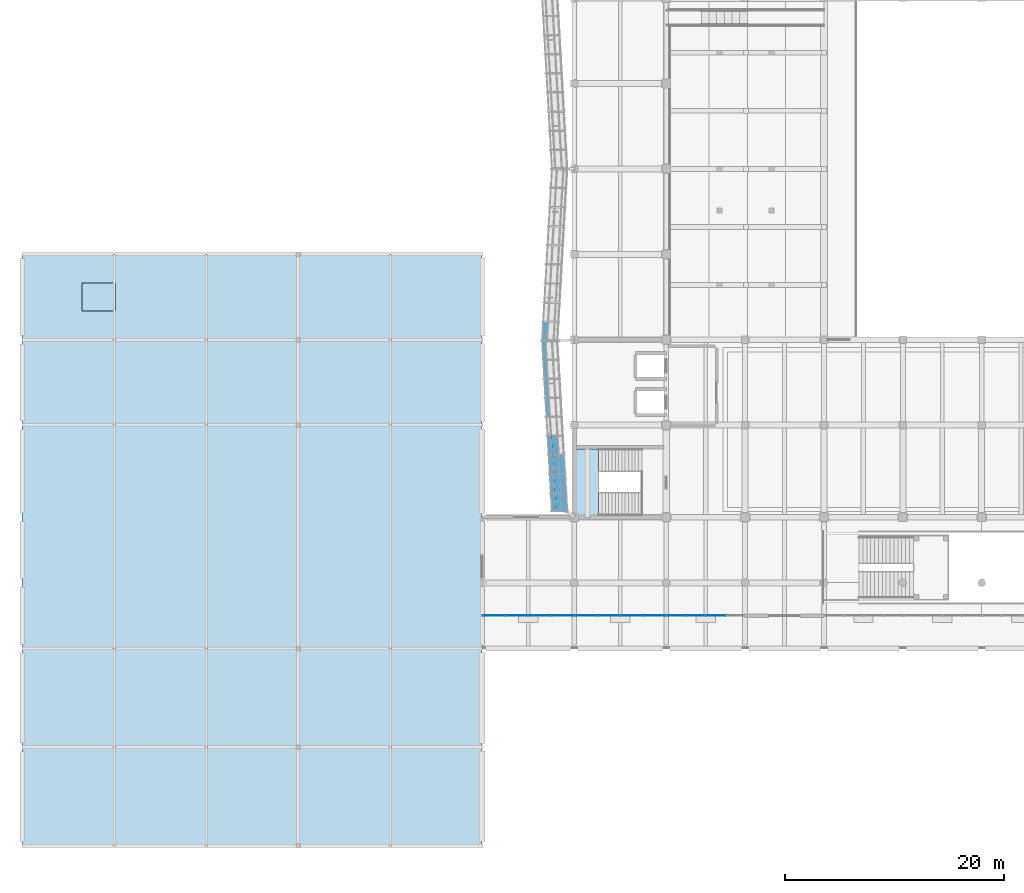
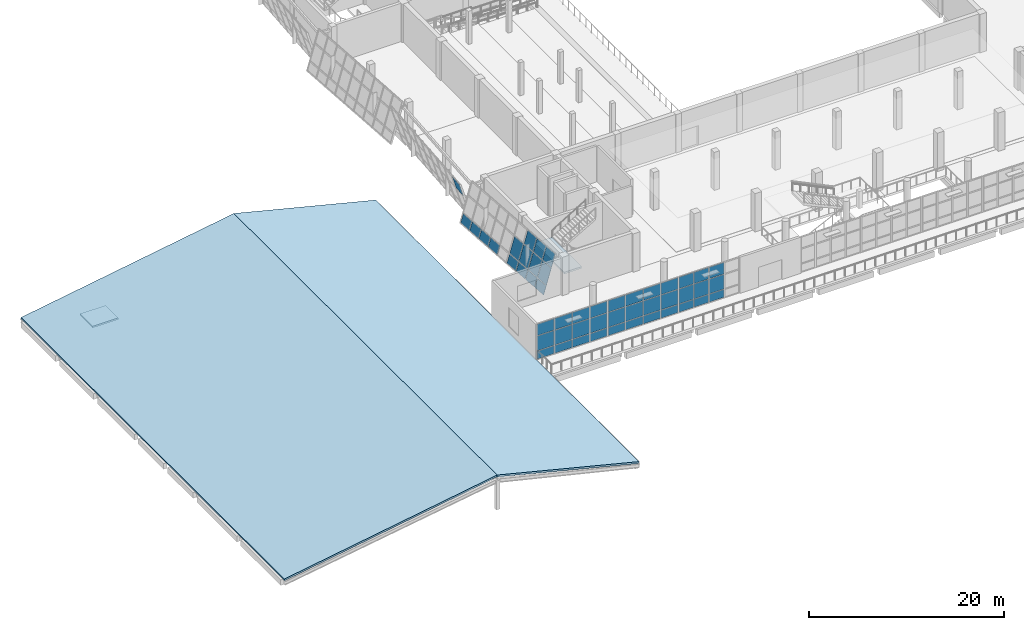
# One storey, part 48 of 79: 49 plates, 4 slabs, 6 elements without a shape of their own.
"""IFC4 building model written with IfcOpenShell, lengths in metres."""

from ifc_helpers import new_model, si_unit, direction, frame, origin, place, context, subcontext, project, spatial, polyline, outline, extrude, material, layer, layer_set, type_object, element, aggregate, save


model = new_model("IFC4")

# Units and contexts
model_context = context("Model", 3, precision=1e-05, world=origin(), true_north=direction((0.0, 1.0)))
body_context = subcontext(model_context, "Body", "Model", "MODEL_VIEW")
ifc_project = project(units=[si_unit("LENGTHUNIT", "METRE"), si_unit("AREAUNIT", "SQUARE_METRE"), si_unit("VOLUMEUNIT", "CUBIC_METRE"), si_unit("PLANEANGLEUNIT", "RADIAN"), si_unit("MASSUNIT", "GRAM", prefix="KILO")], contexts=[model_context])

# Site, building, storey
site_placement = place(None, origin())
site = spatial("IfcSite", under=ifc_project, at=site_placement, CompositionType="ELEMENT")
building_placement = place(site_placement, origin())
building = spatial("IfcBuilding", under=site, at=building_placement, Name="Pellamere Symphony Hall", CompositionType="ELEMENT")
storey_placement = place(building_placement, frame((0.0, 0.0, 10.199951171875)))
storey = spatial("IfcBuildingStorey", under=building, at=storey_placement, Name="L02", CompositionType="ELEMENT", Elevation=10.199951171875)

# Curtain wall, plates
ifc_material_1 = material(Name="Thermally Broken Anodised Aluminium 6063-T6 Curtain Wall", Category="aluminium")
curtain_wall_type_1 = type_object("IfcCurtainWallType", Name="Curtain Wall CW-01 (Tilted Faceted Crystal Low-Iron Curtain Wall)", PredefinedType="NOTDEFINED", material=ifc_material_1)
curtain_wall_1_placement = place(storey_placement, origin())
curtain_wall_1 = element("IfcCurtainWall", 1, at=curtain_wall_1_placement, inside=storey, type_object=curtain_wall_type_1, Name="Crystal Faceted Curtain Wall CW-CR18 (L02)", PredefinedType="NOTDEFINED")
ifc_material_2 = material(Name="Pre-Weathered Quartz-Zinc Faceted Cladding Cassette", Category="aluminium")
ifc_layer_1 = layer(ifc_material_2, 0.0400390625, Name="Pre-Weathered Quartz-Zinc Faceted Cladding Cassette")
ifc_layer_set_1 = layer_set([ifc_layer_1], Name="Pre-Weathered Quartz-Zinc Faceted Cladding Cassette")
plate_type_1 = type_object("IfcPlateType", Name="Facade Panel CL-01 40mm", PredefinedType="CURTAIN_PANEL", material=ifc_layer_set_1)
plate_1_placement = place(storey_placement, frame((47.453857421875, 46.025146484375, 0.072021484375), z_axis=(-0.957350958392, -0.055220695341, 0.283601511406), x_axis=(0.057585007883, -0.99834060664, 0.0)))
plate_1 = element("IfcPlate", 2, at=plate_1_placement, type_object=plate_type_1, Name="CW1-054 crystal glass panel 1.1", PredefinedType="CURTAIN_PANEL", context=body_context, shape_type="SweptSolid", body=[
    extrude(outline(polyline([(0.0, 0.0), (1.6237882534451713, -6.938893903907228e-18), (1.6416008034910186, 1.0888971520236395), (0.017812550045847142, 1.0888971520236395), (0.0, 0.0)])), origin(), (0.0, 0.0, -1.0), 0.0400390625),
])
plate_2_placement = place(storey_placement, frame((47.5517578125, 44.329345703125, 0.072021484375), z_axis=(-0.957410840201, -0.055240660783, 0.283395399508), x_axis=(0.057602168051, -0.998339616682, 0.0)))
plate_2 = element("IfcPlate", 3, at=plate_2_placement, type_object=plate_type_1, Name="CW1-054 crystal glass panel 2.1", PredefinedType="CURTAIN_PANEL", context=body_context, shape_type="SweptSolid", body=[
    extrude(outline(polyline([(0.0, 0.0), (1.6614500501978287, -3.469446951953614e-18), (1.6792538453034658, 1.0888279666407128), (0.01780379510563712, 1.0888279666407128), (0.0, 0.0)])), origin(), (0.0, 0.0, -1.0), 0.0400390625),
])
plate_3_placement = place(storey_placement, frame((47.651611328125, 42.595947265625, 0.072021484375), z_axis=(-0.957349655397, -0.055245262022, 0.283601125412), x_axis=(0.057610619545, -0.998339129012, 0.0)))
plate_3 = element("IfcPlate", 4, at=plate_3_placement, type_object=plate_type_1, Name="CW1-054 crystal glass panel 3.1", PredefinedType="CURTAIN_PANEL", context=body_context, shape_type="SweptSolid", body=[
    extrude(outline(polyline([(0.0, 0.0), (1.6612063149993754, 3.469446951953614e-18), (1.67902678740273, 1.0888970223981924), (0.017820472403354506, 1.0888970223981924), (0.0, 0.0)])), origin(), (0.0, 0.0, -1.0), 0.0400390625),
])
plate_4_placement = place(storey_placement, frame((47.751708984375, 40.862548828125, 0.072021484375), z_axis=(-0.957349655397, -0.055245262022, 0.283601125412), x_axis=(0.057610619545, -0.998339129012, 0.0)))
plate_4 = element("IfcPlate", 5, at=plate_4_placement, type_object=plate_type_1, Name="CW1-054 crystal glass panel 4.1", PredefinedType="CURTAIN_PANEL", context=body_context, shape_type="SweptSolid", body=[
    extrude(outline(polyline([(0.0, 0.0), (1.6612063149993754, 3.469446951953614e-18), (1.67902678740273, 1.0888970223981924), (0.017820472403354506, 1.0888970223981924), (0.0, 0.0)])), origin(), (0.0, 0.0, -1.0), 0.0400390625),
])
plate_5_placement = place(storey_placement, frame((47.95166015625, 37.39599609375, 0.072021484375), z_axis=(-0.957349655397, -0.055245262022, 0.283601125412), x_axis=(0.057610619545, -0.998339129012, 0.0)))
plate_5 = element("IfcPlate", 6, at=plate_5_placement, type_object=plate_type_1, Name="CW1-054 crystal glass panel 6.1", PredefinedType="CURTAIN_PANEL", context=body_context, shape_type="SweptSolid", body=[
    extrude(outline(polyline([(0.0, 0.0), (1.6612063149993754, 3.469446951953614e-18), (1.67902678740273, 1.0888970223981924), (0.017820472403354506, 1.0888970223981924), (0.0, 0.0)])), origin(), (0.0, 0.0, -1.0), 0.0400390625),
])
plate_6_placement = place(storey_placement, frame((48.2822265625, 37.39599609375, 1.18798828125), z_axis=(-0.957347197893, -0.055245120208, 0.283609448679), x_axis=(0.057610619545, -0.998339129012, 0.0)))
plate_6 = element("IfcPlate", 7, at=plate_6_placement, type_object=plate_type_1, Name="CW1-054 crystal glass panel 6.2", PredefinedType="CURTAIN_PANEL", context=body_context, shape_type="SweptSolid", body=[
    extrude(outline(polyline([(0.0, 0.0), (1.6612063149993754, 6.938893903907228e-18), (1.6943858685901516, 2.0273344043651265), (0.03317955359077607, 2.0273344043651265), (0.0, 0.0)])), origin(), (0.0, 0.0, -1.0), 0.0400390625),
])
plate_7_placement = place(storey_placement, frame((48.0517578125, 35.66259765625, 0.072021484375), z_axis=(-0.957410410084, -0.05524876796, 0.283395272192), x_axis=(0.057610619545, -0.998339129012, 0.0)))
plate_7 = element("IfcPlate", 8, at=plate_7_placement, type_object=plate_type_1, Name="CW1-054 crystal glass panel 7.1", PredefinedType="CURTAIN_PANEL", context=body_context, shape_type="SweptSolid", body=[
    extrude(outline(polyline([(0.0, 0.0), (1.6612063149993754, 3.469446951953614e-18), (1.6790127223100675, 1.0888279239245282), (0.017806407310692034, 1.0888279239245282), (0.0, 0.0)])), origin(), (0.0, 0.0, -1.0), 0.0400390625),
])
plate_8_placement = place(storey_placement, frame((48.38232421875, 35.66259765625, 1.18798828125), z_axis=(-0.957379835106, -0.055247003586, 0.283498888758), x_axis=(0.057610619545, -0.998339129012, 0.0)))
plate_8 = element("IfcPlate", 9, at=plate_8_placement, type_object=plate_type_1, Name="CW1-054 crystal glass panel 7.2", PredefinedType="CURTAIN_PANEL", context=body_context, shape_type="SweptSolid", body=[
    extrude(outline(polyline([(0.0, 0.0), (1.6612063149993754, -3.469446951953614e-18), (1.694371803497489, 2.0272652922501933), (0.03316548849811359, 2.0272652922501933), (0.0, 0.0)])), origin(), (0.0, 0.0, -1.0), 0.0400390625),
])
plate_9_placement = place(storey_placement, frame((48.9794921875, 35.66259765625, 3.2041015625), z_axis=(-0.957353948937, -0.055245509787, 0.28358658308), x_axis=(0.057610619545, -0.998339129012, 0.0)))
plate_9 = element("IfcPlate", 10, at=plate_9_placement, type_object=plate_type_1, Name="CW1-054 crystal glass panel 7.3", PredefinedType="CURTAIN_PANEL", context=body_context, shape_type="SweptSolid", body=[
    extrude(outline(polyline([(0.0, 0.0), (1.6612063149993754, 0.0), (1.68721267133229, 1.5891664089551663), (0.02600635633291435, 1.5891664089551663), (0.0, 0.0)])), origin(), (0.0, 0.0, -1.0), 0.0400390625),
])
plate_10_placement = place(storey_placement, frame((48.151611328125, 33.92919921875, 0.072021484375), z_axis=(-0.957349655397, -0.055245262022, 0.283601125412), x_axis=(0.057610619545, -0.998339129012, 0.0)))
plate_10 = element("IfcPlate", 11, at=plate_10_placement, type_object=plate_type_1, Name="CW1-054 crystal glass panel 8.1", PredefinedType="CURTAIN_PANEL", context=body_context, shape_type="SweptSolid", body=[
    extrude(outline(polyline([(0.0, 0.0), (1.6612063149993754, 3.469446951953614e-18), (1.67902678740273, 1.0888970223981924), (0.017820472403354506, 1.0888970223981924), (0.0, 0.0)])), origin(), (0.0, 0.0, -1.0), 0.0400390625),
])
plate_11_placement = place(storey_placement, frame((48.482177734375, 33.92919921875, 1.18798828125), z_axis=(-0.957347197893, -0.055245120208, 0.283609448679), x_axis=(0.057610619545, -0.998339129012, 0.0)))
plate_11 = element("IfcPlate", 12, at=plate_11_placement, type_object=plate_type_1, Name="CW1-054 crystal glass panel 8.2", PredefinedType="CURTAIN_PANEL", context=body_context, shape_type="SweptSolid", body=[
    extrude(outline(polyline([(0.0, 0.0), (1.6612063149993754, 6.938893903907228e-18), (1.6943858685901516, 2.0273344043651265), (0.03317955359077607, 2.0273344043651265), (0.0, 0.0)])), origin(), (0.0, 0.0, -1.0), 0.0400390625),
])
plate_12_placement = place(storey_placement, frame((49.079345703125, 33.92919921875, 3.2041015625), z_axis=(-0.957353948937, -0.055245509787, 0.28358658308), x_axis=(0.057610619545, -0.998339129012, 0.0)))
plate_12 = element("IfcPlate", 13, at=plate_12_placement, type_object=plate_type_1, Name="CW1-054 crystal glass panel 8.3", PredefinedType="CURTAIN_PANEL", context=body_context, shape_type="SweptSolid", body=[
    extrude(outline(polyline([(0.0, 0.0), (1.6612063149993754, 0.0), (1.68721267133229, 1.5891664089551663), (0.02600635633291435, 1.5891664089551663), (0.0, 0.0)])), origin(), (0.0, 0.0, -1.0), 0.0400390625),
])
plate_13_placement = place(storey_placement, frame((48.251708984375, 32.19580078125, 0.072021484375), z_axis=(-0.957350518643, -0.055228987595, 0.283601381137), x_axis=(0.057593652861, -0.998340107954, 0.0)))
plate_13 = element("IfcPlate", 14, at=plate_13_placement, type_object=plate_type_1, Name="CW1-054 crystal glass panel 9.1", PredefinedType="CURTAIN_PANEL", context=body_context, shape_type="SweptSolid", body=[
    extrude(outline(polyline([(0.0, 0.0), (1.6235445180063734, -3.469446951953614e-18), (1.6413597421702713, 1.0888971082762222), (0.01781522416389773, 1.0888971082762222), (0.0, 0.0)])), origin(), (0.0, 0.0, -1.0), 0.0400390625),
])
plate_14_placement = place(storey_placement, frame((48.582275390625, 32.19580078125, 1.18798828125), z_axis=(-0.957348061132, -0.055228845822, 0.283609704409), x_axis=(0.057593652861, -0.998340107954, 0.0)))
plate_14 = element("IfcPlate", 15, at=plate_14_placement, type_object=plate_type_1, Name="CW1-054 crystal glass panel 9.2", PredefinedType="CURTAIN_PANEL", context=body_context, shape_type="SweptSolid", body=[
    extrude(outline(polyline([(0.0, 0.0), (1.6235445180063734, -3.469446951953614e-18), (1.6567143000131885, 2.027334564264273), (0.033169782006815106, 2.027334564264273), (0.0, 0.0)])), origin(), (0.0, 0.0, -1.0), 0.0400390625),
])
plate_15_placement = place(storey_placement, frame((49.179443359375, 32.19580078125, 3.2041015625), z_axis=(-0.957354812195, -0.055229235287, 0.283586838793), x_axis=(0.057593652861, -0.998340107954, 0.0)))
plate_15 = element("IfcPlate", 16, at=plate_15_placement, type_object=plate_type_1, Name="CW1-054 crystal glass panel 9.3", PredefinedType="CURTAIN_PANEL", context=body_context, shape_type="SweptSolid", body=[
    extrude(outline(polyline([(0.0, 0.0), (1.6235445180063734, -6.938893903907228e-18), (1.6495432153063316, 1.589166534275083), (0.02599869729995809, 1.589166534275083), (0.0, 0.0)])), origin(), (0.0, 0.0, -1.0), 0.0400390625),
])
aggregate(curtain_wall_1, [plate_1, plate_2, plate_3, plate_4, plate_5, plate_6, plate_7, plate_8, plate_9, plate_10, plate_11, plate_12, plate_13, plate_14, plate_15])

curtain_wall_type_2 = type_object("IfcCurtainWallType", Name="Curtain Wall CW-02 (Winter-Garden South Concourse Curtain Wall)", PredefinedType="NOTDEFINED", material=ifc_material_1)
curtain_wall_2_placement = place(storey_placement, origin())
curtain_wall_2 = element("IfcCurtainWall", 17, at=curtain_wall_2_placement, inside=storey, type_object=curtain_wall_type_2, Name="Winter-Garden South Curtain Wall (L02 Bay 1)", PredefinedType="NOTDEFINED")
ifc_material_3 = material(Name="Triple Low-E Argon Acoustic Glazing 36mm", Category="glass")
ifc_layer_2 = layer(ifc_material_3, 0.035888671875, Name="Triple Low-E Argon Acoustic Glazing 36mm")
ifc_layer_set_2 = layer_set([ifc_layer_2], Name="Triple Low-E Argon Acoustic Glazing 36mm")
plate_type_2 = type_object("IfcPlateType", Name="Facade Panel GL-01 36mm", PredefinedType="CURTAIN_PANEL", material=ifc_layer_set_2)
plate_16_placement = place(storey_placement, frame((42.06494140625, 21.0, 0.06494140625), z_axis=(0.0, -1.0, 0.0), x_axis=(1.0, 0.0, 0.0)))
plate_16 = element("IfcPlate", 18, at=plate_16_placement, type_object=plate_type_2, Name="CW2-077 crystal glass panel 1.1", PredefinedType="CURTAIN_PANEL", context=body_context, shape_type="SweptSolid", body=[
    extrude(outline(polyline([(0.0, 0.0), (2.00244140625, 0.0), (2.00244140625, 0.982666015625), (0.0, 0.982666015625), (0.0, 0.0)])), origin(), (0.0, 0.0, -1.0), 0.035888671875),
])
plate_17_placement = place(storey_placement, frame((42.06494140625, 21.0, 1.112548828125), z_axis=(0.0, -1.0, 0.0), x_axis=(1.0, 0.0, 0.0)))
plate_17 = element("IfcPlate", 19, at=plate_17_placement, type_object=plate_type_2, Name="CW2-077 crystal glass panel 1.2", PredefinedType="CURTAIN_PANEL", context=body_context, shape_type="SweptSolid", body=[
    extrude(outline(polyline([(0.0, 0.0), (2.00244140625, 0.0), (2.00244140625, 1.824951171875), (0.0, 1.824951171875), (0.0, 0.0)])), origin(), (0.0, 0.0, -1.0), 0.035888671875),
])
plate_18_placement = place(storey_placement, frame((42.06494140625, 21.0, 3.00244140625), z_axis=(0.0, -1.0, 0.0), x_axis=(1.0, 0.0, 0.0)))
plate_18 = element("IfcPlate", 20, at=plate_18_placement, type_object=plate_type_2, Name="CW2-077 crystal glass panel 1.3", PredefinedType="CURTAIN_PANEL", context=body_context, shape_type="SweptSolid", body=[
    extrude(outline(polyline([(0.0, 0.0), (2.00244140625, 0.0), (2.00244140625, 1.4326171875), (0.0, 1.4326171875), (0.0, 0.0)])), origin(), (0.0, 0.0, -1.0), 0.035888671875),
])
plate_19_placement = place(storey_placement, frame((44.132568359375, 21.0, 0.06494140625), z_axis=(0.0, -1.0, 0.0), x_axis=(1.0, 0.0, 0.0)))
plate_19 = element("IfcPlate", 21, at=plate_19_placement, type_object=plate_type_2, Name="CW2-077 crystal glass panel 2.1", PredefinedType="CURTAIN_PANEL", context=body_context, shape_type="SweptSolid", body=[
    extrude(outline(polyline([(0.0, 0.0), (2.034912109375, 0.0), (2.034912109375, 0.982666015625), (0.0, 0.982666015625), (0.0, 0.0)])), origin(), (0.0, 0.0, -1.0), 0.035888671875),
])
plate_20_placement = place(storey_placement, frame((44.132568359375, 21.0, 1.112548828125), z_axis=(0.0, -1.0, 0.0), x_axis=(1.0, 0.0, 0.0)))
plate_20 = element("IfcPlate", 22, at=plate_20_placement, type_object=plate_type_2, Name="CW2-077 crystal glass panel 2.2", PredefinedType="CURTAIN_PANEL", context=body_context, shape_type="SweptSolid", body=[
    extrude(outline(polyline([(0.0, 0.0), (2.034912109375, 0.0), (2.034912109375, 1.824951171875), (0.0, 1.824951171875), (0.0, 0.0)])), origin(), (0.0, 0.0, -1.0), 0.035888671875),
])
plate_21_placement = place(storey_placement, frame((44.132568359375, 21.0, 3.00244140625), z_axis=(0.0, -1.0, 0.0), x_axis=(1.0, 0.0, 0.0)))
plate_21 = element("IfcPlate", 23, at=plate_21_placement, type_object=plate_type_2, Name="CW2-077 crystal glass panel 2.3", PredefinedType="CURTAIN_PANEL", context=body_context, shape_type="SweptSolid", body=[
    extrude(outline(polyline([(0.0, 0.0), (2.034912109375, 0.0), (2.034912109375, 1.4326171875), (0.0, 1.4326171875), (0.0, 0.0)])), origin(), (0.0, 0.0, -1.0), 0.035888671875),
])
plate_22_placement = place(storey_placement, frame((46.232421875, 21.0, 0.06494140625), z_axis=(0.0, -1.0, 0.0), x_axis=(1.0, 0.0, 0.0)))
plate_22 = element("IfcPlate", 24, at=plate_22_placement, type_object=plate_type_2, Name="CW2-077 crystal glass panel 3.1", PredefinedType="CURTAIN_PANEL", context=body_context, shape_type="SweptSolid", body=[
    extrude(outline(polyline([(0.0, 0.0), (2.03515625, 0.0), (2.03515625, 0.982666015625), (0.0, 0.982666015625), (0.0, 0.0)])), origin(), (0.0, 0.0, -1.0), 0.035888671875),
])
plate_23_placement = place(storey_placement, frame((46.232421875, 21.0, 1.112548828125), z_axis=(0.0, -1.0, 0.0), x_axis=(1.0, 0.0, 0.0)))
plate_23 = element("IfcPlate", 25, at=plate_23_placement, type_object=plate_type_2, Name="CW2-077 crystal glass panel 3.2", PredefinedType="CURTAIN_PANEL", context=body_context, shape_type="SweptSolid", body=[
    extrude(outline(polyline([(0.0, 0.0), (2.03515625, 0.0), (2.03515625, 1.824951171875), (0.0, 1.824951171875), (0.0, 0.0)])), origin(), (0.0, 0.0, -1.0), 0.035888671875),
])
plate_24_placement = place(storey_placement, frame((46.232421875, 21.0, 3.00244140625), z_axis=(0.0, -1.0, 0.0), x_axis=(1.0, 0.0, 0.0)))
plate_24 = element("IfcPlate", 26, at=plate_24_placement, type_object=plate_type_2, Name="CW2-077 crystal glass panel 3.3", PredefinedType="CURTAIN_PANEL", context=body_context, shape_type="SweptSolid", body=[
    extrude(outline(polyline([(0.0, 0.0), (2.03515625, 0.0), (2.03515625, 1.4326171875), (0.0, 1.4326171875), (0.0, 0.0)])), origin(), (0.0, 0.0, -1.0), 0.035888671875),
])
plate_25_placement = place(storey_placement, frame((48.33251953125, 21.0, 0.06494140625), z_axis=(0.0, -1.0, 0.0), x_axis=(1.0, 0.0, 0.0)))
plate_25 = element("IfcPlate", 27, at=plate_25_placement, type_object=plate_type_2, Name="CW2-077 crystal glass panel 4.1", PredefinedType="CURTAIN_PANEL", context=body_context, shape_type="SweptSolid", body=[
    extrude(outline(polyline([(0.0, 0.0), (2.00244140625, 0.0), (2.00244140625, 0.982666015625), (0.0, 0.982666015625), (0.0, 0.0)])), origin(), (0.0, 0.0, -1.0), 0.035888671875),
])
plate_26_placement = place(storey_placement, frame((48.33251953125, 21.0, 1.112548828125), z_axis=(0.0, -1.0, 0.0), x_axis=(1.0, 0.0, 0.0)))
plate_26 = element("IfcPlate", 28, at=plate_26_placement, type_object=plate_type_2, Name="CW2-077 crystal glass panel 4.2", PredefinedType="CURTAIN_PANEL", context=body_context, shape_type="SweptSolid", body=[
    extrude(outline(polyline([(0.0, 0.0), (2.00244140625, 0.0), (2.00244140625, 1.824951171875), (0.0, 1.824951171875), (0.0, 0.0)])), origin(), (0.0, 0.0, -1.0), 0.035888671875),
])
plate_27_placement = place(storey_placement, frame((48.33251953125, 21.0, 3.00244140625), z_axis=(0.0, -1.0, 0.0), x_axis=(1.0, 0.0, 0.0)))
plate_27 = element("IfcPlate", 29, at=plate_27_placement, type_object=plate_type_2, Name="CW2-077 crystal glass panel 4.3", PredefinedType="CURTAIN_PANEL", context=body_context, shape_type="SweptSolid", body=[
    extrude(outline(polyline([(0.0, 0.0), (2.00244140625, 0.0), (2.00244140625, 1.4326171875), (0.0, 1.4326171875), (0.0, 0.0)])), origin(), (0.0, 0.0, -1.0), 0.035888671875),
])
aggregate(curtain_wall_2, [plate_16, plate_17, plate_18, plate_19, plate_20, plate_21, plate_22, plate_23, plate_24, plate_25, plate_26, plate_27])

curtain_wall_3_placement = place(storey_placement, origin())
curtain_wall_3 = element("IfcCurtainWall", 30, at=curtain_wall_3_placement, inside=storey, type_object=curtain_wall_type_2, Name="Winter-Garden South Curtain Wall (L02 Bay 2)", PredefinedType="NOTDEFINED")
plate_28_placement = place(storey_placement, frame((50.465087890625, 21.0, 0.06494140625), z_axis=(0.0, -1.0, 0.0), x_axis=(1.0, 0.0, 0.0)))
plate_28 = element("IfcPlate", 31, at=plate_28_placement, type_object=plate_type_2, Name="CW2-078 crystal glass panel 1.1", PredefinedType="CURTAIN_PANEL", context=body_context, shape_type="SweptSolid", body=[
    extrude(outline(polyline([(0.0, 0.0), (2.00244140625, 0.0), (2.00244140625, 0.982666015625), (0.0, 0.982666015625), (0.0, 0.0)])), origin(), (0.0, 0.0, -1.0), 0.035888671875),
])
plate_29_placement = place(storey_placement, frame((50.465087890625, 21.0, 1.112548828125), z_axis=(0.0, -1.0, 0.0), x_axis=(1.0, 0.0, 0.0)))
plate_29 = element("IfcPlate", 32, at=plate_29_placement, type_object=plate_type_2, Name="CW2-078 crystal glass panel 1.2", PredefinedType="CURTAIN_PANEL", context=body_context, shape_type="SweptSolid", body=[
    extrude(outline(polyline([(0.0, 0.0), (2.00244140625, 0.0), (2.00244140625, 1.824951171875), (0.0, 1.824951171875), (0.0, 0.0)])), origin(), (0.0, 0.0, -1.0), 0.035888671875),
])
plate_30_placement = place(storey_placement, frame((50.465087890625, 21.0, 3.00244140625), z_axis=(0.0, -1.0, 0.0), x_axis=(1.0, 0.0, 0.0)))
plate_30 = element("IfcPlate", 33, at=plate_30_placement, type_object=plate_type_2, Name="CW2-078 crystal glass panel 1.3", PredefinedType="CURTAIN_PANEL", context=body_context, shape_type="SweptSolid", body=[
    extrude(outline(polyline([(0.0, 0.0), (2.00244140625, 0.0), (2.00244140625, 1.4326171875), (0.0, 1.4326171875), (0.0, 0.0)])), origin(), (0.0, 0.0, -1.0), 0.035888671875),
])
plate_31_placement = place(storey_placement, frame((52.532470703125, 21.0, 0.06494140625), z_axis=(0.0, -1.0, 0.0), x_axis=(1.0, 0.0, 0.0)))
plate_31 = element("IfcPlate", 34, at=plate_31_placement, type_object=plate_type_2, Name="CW2-078 crystal glass panel 2.1", PredefinedType="CURTAIN_PANEL", context=body_context, shape_type="SweptSolid", body=[
    extrude(outline(polyline([(0.0, 0.0), (2.034912109375, 0.0), (2.034912109375, 0.982666015625), (0.0, 0.982666015625), (0.0, 0.0)])), origin(), (0.0, 0.0, -1.0), 0.035888671875),
])
plate_32_placement = place(storey_placement, frame((52.532470703125, 21.0, 1.112548828125), z_axis=(0.0, -1.0, 0.0), x_axis=(1.0, 0.0, 0.0)))
plate_32 = element("IfcPlate", 35, at=plate_32_placement, type_object=plate_type_2, Name="CW2-078 crystal glass panel 2.2", PredefinedType="CURTAIN_PANEL", context=body_context, shape_type="SweptSolid", body=[
    extrude(outline(polyline([(0.0, 0.0), (2.034912109375, 0.0), (2.034912109375, 1.824951171875), (0.0, 1.824951171875), (0.0, 0.0)])), origin(), (0.0, 0.0, -1.0), 0.035888671875),
])
plate_33_placement = place(storey_placement, frame((52.532470703125, 21.0, 3.00244140625), z_axis=(0.0, -1.0, 0.0), x_axis=(1.0, 0.0, 0.0)))
plate_33 = element("IfcPlate", 36, at=plate_33_placement, type_object=plate_type_2, Name="CW2-078 crystal glass panel 2.3", PredefinedType="CURTAIN_PANEL", context=body_context, shape_type="SweptSolid", body=[
    extrude(outline(polyline([(0.0, 0.0), (2.034912109375, 0.0), (2.034912109375, 1.4326171875), (0.0, 1.4326171875), (0.0, 0.0)])), origin(), (0.0, 0.0, -1.0), 0.035888671875),
])
plate_34_placement = place(storey_placement, frame((54.632568359375, 21.0, 0.06494140625), z_axis=(0.0, -1.0, 0.0), x_axis=(1.0, 0.0, 0.0)))
plate_34 = element("IfcPlate", 37, at=plate_34_placement, type_object=plate_type_2, Name="CW2-078 crystal glass panel 3.1", PredefinedType="CURTAIN_PANEL", context=body_context, shape_type="SweptSolid", body=[
    extrude(outline(polyline([(0.0, 0.0), (2.034912109375, 0.0), (2.034912109375, 0.982666015625), (0.0, 0.982666015625), (0.0, 0.0)])), origin(), (0.0, 0.0, -1.0), 0.035888671875),
])
plate_35_placement = place(storey_placement, frame((54.632568359375, 21.0, 1.112548828125), z_axis=(0.0, -1.0, 0.0), x_axis=(1.0, 0.0, 0.0)))
plate_35 = element("IfcPlate", 38, at=plate_35_placement, type_object=plate_type_2, Name="CW2-078 crystal glass panel 3.2", PredefinedType="CURTAIN_PANEL", context=body_context, shape_type="SweptSolid", body=[
    extrude(outline(polyline([(0.0, 0.0), (2.034912109375, 0.0), (2.034912109375, 1.824951171875), (0.0, 1.824951171875), (0.0, 0.0)])), origin(), (0.0, 0.0, -1.0), 0.035888671875),
])
plate_36_placement = place(storey_placement, frame((54.632568359375, 21.0, 3.00244140625), z_axis=(0.0, -1.0, 0.0), x_axis=(1.0, 0.0, 0.0)))
plate_36 = element("IfcPlate", 39, at=plate_36_placement, type_object=plate_type_2, Name="CW2-078 crystal glass panel 3.3", PredefinedType="CURTAIN_PANEL", context=body_context, shape_type="SweptSolid", body=[
    extrude(outline(polyline([(0.0, 0.0), (2.034912109375, 0.0), (2.034912109375, 1.4326171875), (0.0, 1.4326171875), (0.0, 0.0)])), origin(), (0.0, 0.0, -1.0), 0.035888671875),
])
plate_37_placement = place(storey_placement, frame((56.732421875, 21.0, 0.06494140625), z_axis=(0.0, -1.0, 0.0), x_axis=(1.0, 0.0, 0.0)))
plate_37 = element("IfcPlate", 40, at=plate_37_placement, type_object=plate_type_2, Name="CW2-078 crystal glass panel 4.1", PredefinedType="CURTAIN_PANEL", context=body_context, shape_type="SweptSolid", body=[
    extrude(outline(polyline([(0.0, 0.0), (2.002685546875, 0.0), (2.002685546875, 0.982666015625), (0.0, 0.982666015625), (0.0, 0.0)])), origin(), (0.0, 0.0, -1.0), 0.035888671875),
])
plate_38_placement = place(storey_placement, frame((56.732421875, 21.0, 1.112548828125), z_axis=(0.0, -1.0, 0.0), x_axis=(1.0, 0.0, 0.0)))
plate_38 = element("IfcPlate", 41, at=plate_38_placement, type_object=plate_type_2, Name="CW2-078 crystal glass panel 4.2", PredefinedType="CURTAIN_PANEL", context=body_context, shape_type="SweptSolid", body=[
    extrude(outline(polyline([(0.0, 0.0), (2.002685546875, 0.0), (2.002685546875, 1.824951171875), (0.0, 1.824951171875), (0.0, 0.0)])), origin(), (0.0, 0.0, -1.0), 0.035888671875),
])
plate_39_placement = place(storey_placement, frame((56.732421875, 21.0, 3.00244140625), z_axis=(0.0, -1.0, 0.0), x_axis=(1.0, 0.0, 0.0)))
plate_39 = element("IfcPlate", 42, at=plate_39_placement, type_object=plate_type_2, Name="CW2-078 crystal glass panel 4.3", PredefinedType="CURTAIN_PANEL", context=body_context, shape_type="SweptSolid", body=[
    extrude(outline(polyline([(0.0, 0.0), (2.002685546875, 0.0), (2.002685546875, 1.4326171875), (0.0, 1.4326171875), (0.0, 0.0)])), origin(), (0.0, 0.0, -1.0), 0.035888671875),
])
aggregate(curtain_wall_3, [plate_28, plate_29, plate_30, plate_31, plate_32, plate_33, plate_34, plate_35, plate_36, plate_37, plate_38, plate_39])

# Curtain wall, plate
curtain_wall_4_placement = place(storey_placement, origin())
curtain_wall_4 = element("IfcCurtainWall", 43, at=curtain_wall_4_placement, inside=storey, type_object=curtain_wall_type_1, Name="Crystal Faceted Curtain Wall CW-CR17 (L02)", PredefinedType="NOTDEFINED")
ifc_material_4 = material(Name="Triple Laminated Acoustic Crystal Glazing 42mm", Category="glass")
ifc_layer_3 = layer(ifc_material_4, 0.0419921875, Name="Triple Laminated Acoustic Crystal Glazing 42mm")
ifc_layer_set_3 = layer_set([ifc_layer_3], Name="Triple Laminated Acoustic Crystal Glazing 42mm")
plate_type_3 = type_object("IfcPlateType", Name="Facade Panel GL-02 42mm", PredefinedType="CURTAIN_PANEL", material=ifc_layer_set_3)
plate_40_placement = place(storey_placement, frame((47.998779296875, 47.806884765625, 3.2041015625), z_axis=(0.957374837735, -0.054850345976, 0.283592770742), x_axis=(-0.057198647566, -0.998362817175, 0.0)))
plate_40 = element("IfcPlate", 44, at=plate_40_placement, type_object=plate_type_3, Name="CW1-049 crystal glass panel 9.3", PredefinedType="CURTAIN_PANEL", context=body_context, shape_type="SweptSolid", body=[
    extrude(outline(polyline([(0.0, 0.0), (1.6347564733470132, 3.469446951953614e-18), (1.6605768589303367, -1.5891694414408748), (0.025820385583323543, -1.5891694414408748), (0.0, 0.0)])), origin(), (0.0, 0.0, -1.0), 0.0419921875),
])
aggregate(curtain_wall_4, [plate_40])

# Curtain wall, plates
curtain_wall_5_placement = place(storey_placement, origin())
curtain_wall_5 = element("IfcCurtainWall", 45, at=curtain_wall_5_placement, inside=storey, type_object=curtain_wall_type_2, Name="Winter-Garden South Curtain Wall (L02 Bay 3)", PredefinedType="NOTDEFINED")
ifc_material_5 = material(Name="Mineral-Wool Insulated Dark Zinc Spandrel Panel", Category="aluminium")
ifc_layer_4 = layer(ifc_material_5, 0.054931640625, Name="Mineral-Wool Insulated Dark Zinc Spandrel Panel")
ifc_layer_set_4 = layer_set([ifc_layer_4], Name="Mineral-Wool Insulated Dark Zinc Spandrel Panel")
plate_type_4 = type_object("IfcPlateType", Name="Facade Panel SP-02 55mm", PredefinedType="CURTAIN_PANEL", material=ifc_layer_set_4)
plate_41_placement = place(storey_placement, frame((58.864990234375, 21.0, 0.06494140625), z_axis=(0.0, -1.0, 0.0), x_axis=(1.0, 0.0, 0.0)))
plate_41 = element("IfcPlate", 46, at=plate_41_placement, type_object=plate_type_4, Name="CW2-079 crystal glass panel 1.1", PredefinedType="CURTAIN_PANEL", context=body_context, shape_type="SweptSolid", body=[
    extrude(outline(polyline([(0.0, 0.0), (1.702392578125, 0.0), (1.702392578125, 0.982666015625), (0.0, 0.982666015625), (0.0, 0.0)])), origin(), (0.0, 0.0, -1.0), 0.054931640625),
])
plate_42_placement = place(storey_placement, frame((58.864990234375, 21.0, 1.112548828125), z_axis=(0.0, -1.0, 0.0), x_axis=(1.0, 0.0, 0.0)))
plate_42 = element("IfcPlate", 47, at=plate_42_placement, type_object=plate_type_4, Name="CW2-079 crystal glass panel 1.2", PredefinedType="CURTAIN_PANEL", context=body_context, shape_type="SweptSolid", body=[
    extrude(outline(polyline([(0.0, 0.0), (1.702392578125, 0.0), (1.702392578125, 1.824951171875), (0.0, 1.824951171875), (0.0, 0.0)])), origin(), (0.0, 0.0, -1.0), 0.054931640625),
])
plate_43_placement = place(storey_placement, frame((58.864990234375, 21.0, 3.00244140625), z_axis=(0.0, -1.0, 0.0), x_axis=(1.0, 0.0, 0.0)))
plate_43 = element("IfcPlate", 48, at=plate_43_placement, type_object=plate_type_4, Name="CW2-079 crystal glass panel 1.3", PredefinedType="CURTAIN_PANEL", context=body_context, shape_type="SweptSolid", body=[
    extrude(outline(polyline([(0.0, 0.0), (1.702392578125, 0.0), (1.702392578125, 1.4326171875), (0.0, 1.4326171875), (0.0, 0.0)])), origin(), (0.0, 0.0, -1.0), 0.054931640625),
])
plate_44_placement = place(storey_placement, frame((60.632568359375, 21.0, 0.06494140625), z_axis=(0.0, -1.0, 0.0), x_axis=(1.0, 0.0, 0.0)))
plate_44 = element("IfcPlate", 49, at=plate_44_placement, type_object=plate_type_4, Name="CW2-079 crystal glass panel 2.1", PredefinedType="CURTAIN_PANEL", context=body_context, shape_type="SweptSolid", body=[
    extrude(outline(polyline([(0.0, 0.0), (1.73486328125, 0.0), (1.73486328125, 0.982666015625), (0.0, 0.982666015625), (0.0, 0.0)])), origin(), (0.0, 0.0, -1.0), 0.054931640625),
])
plate_45_placement = place(storey_placement, frame((60.632568359375, 21.0, 1.112548828125), z_axis=(0.0, -1.0, 0.0), x_axis=(1.0, 0.0, 0.0)))
plate_45 = element("IfcPlate", 50, at=plate_45_placement, type_object=plate_type_4, Name="CW2-079 crystal glass panel 2.2", PredefinedType="CURTAIN_PANEL", context=body_context, shape_type="SweptSolid", body=[
    extrude(outline(polyline([(0.0, 0.0), (1.73486328125, 0.0), (1.73486328125, 1.824951171875), (0.0, 1.824951171875), (0.0, 0.0)])), origin(), (0.0, 0.0, -1.0), 0.054931640625),
])
plate_46_placement = place(storey_placement, frame((60.632568359375, 21.0, 3.00244140625), z_axis=(0.0, -1.0, 0.0), x_axis=(1.0, 0.0, 0.0)))
plate_46 = element("IfcPlate", 51, at=plate_46_placement, type_object=plate_type_4, Name="CW2-079 crystal glass panel 2.3", PredefinedType="CURTAIN_PANEL", context=body_context, shape_type="SweptSolid", body=[
    extrude(outline(polyline([(0.0, 0.0), (1.73486328125, 0.0), (1.73486328125, 1.4326171875), (0.0, 1.4326171875), (0.0, 0.0)])), origin(), (0.0, 0.0, -1.0), 0.054931640625),
])
plate_47_placement = place(storey_placement, frame((62.4326171875, 21.0, 0.06494140625), z_axis=(0.0, -1.0, 0.0), x_axis=(1.0, 0.0, 0.0)))
plate_47 = element("IfcPlate", 52, at=plate_47_placement, type_object=plate_type_4, Name="CW2-079 crystal glass panel 3.1", PredefinedType="CURTAIN_PANEL", context=body_context, shape_type="SweptSolid", body=[
    extrude(outline(polyline([(0.0, 0.0), (1.73486328125, 0.0), (1.73486328125, 0.982666015625), (0.0, 0.982666015625), (0.0, 0.0)])), origin(), (0.0, 0.0, -1.0), 0.054931640625),
])
plate_48_placement = place(storey_placement, frame((62.4326171875, 21.0, 1.112548828125), z_axis=(0.0, -1.0, 0.0), x_axis=(1.0, 0.0, 0.0)))
plate_48 = element("IfcPlate", 53, at=plate_48_placement, type_object=plate_type_4, Name="CW2-079 crystal glass panel 3.2", PredefinedType="CURTAIN_PANEL", context=body_context, shape_type="SweptSolid", body=[
    extrude(outline(polyline([(0.0, 0.0), (1.73486328125, 0.0), (1.73486328125, 1.824951171875), (0.0, 1.824951171875), (0.0, 0.0)])), origin(), (0.0, 0.0, -1.0), 0.054931640625),
])
plate_49_placement = place(storey_placement, frame((62.4326171875, 21.0, 3.00244140625), z_axis=(0.0, -1.0, 0.0), x_axis=(1.0, 0.0, 0.0)))
plate_49 = element("IfcPlate", 54, at=plate_49_placement, type_object=plate_type_4, Name="CW2-079 crystal glass panel 3.3", PredefinedType="CURTAIN_PANEL", context=body_context, shape_type="SweptSolid", body=[
    extrude(outline(polyline([(0.0, 0.0), (1.73486328125, 0.0), (1.73486328125, 1.4326171875), (0.0, 1.4326171875), (0.0, 0.0)])), origin(), (0.0, 0.0, -1.0), 0.054931640625),
])
aggregate(curtain_wall_5, [plate_41, plate_42, plate_43, plate_44, plate_45, plate_46, plate_47, plate_48, plate_49])

# Stair, slab
ifc_material_6 = material(Name="Concrete 40 MPa", Category="concrete")
stair_type = type_object("IfcStairType", Name="Stair ST-B W2050", PredefinedType="HALF_TURN_STAIR", material=ifc_material_6)
stair_placement = place(storey_placement, origin())
stair = element("IfcStair", 55, at=stair_placement, inside=storey, type_object=stair_type, Name="Exit Stair ST01-L02 (L02 to L03)", PredefinedType="HALF_TURN_STAIR")
ifc_layer_5 = layer(ifc_material_6, 0.219970703125, Name="Concrete 40 MPa")
ifc_layer_set_5 = layer_set([ifc_layer_5], Name="Concrete 40 MPa")
slab_type_1 = type_object("IfcSlabType", Name="Stair Landing SL-01 220mm", PredefinedType="LANDING", material=ifc_layer_set_5)
slab_1_placement = place(storey_placement, frame((0.0, 0.0, 2.179931640625)))
slab_1 = element("IfcSlab", 56, at=slab_1_placement, type_object=slab_type_1, Name="Stair ST01-L02 Half Landing (L02)", PredefinedType="LANDING", context=body_context, shape_type="SweptSolid", body=[
    extrude(outline(polyline([(50.56005859375, 30.159912109375), (52.625, 30.159912109375), (52.625, 36.239990234375), (50.56005859375, 36.239990234375), (50.56005859375, 30.159912109375)])), origin(), (0.0, 0.0, 1.0), 0.22021484375),
])
aggregate(stair, [slab_1])

# Slabs
ifc_material_7 = material(Name="Precast concrete 40 MPa", Category="concrete")
ifc_layer_6 = layer(ifc_material_7, 0.219970703125, Name="Precast concrete 40 MPa")
ifc_layer_set_6 = layer_set([ifc_layer_6], Name="Precast concrete 40 MPa")
slab_type_2 = type_object("IfcSlabType", Name="Structural Slab RS-02 220mm", PredefinedType="ROOF", material=ifc_layer_set_6)
slab_2_placement = place(storey_placement, frame((0.0, 0.0, 0.0), z_axis=(-0.164397437631, 0.0, 0.98639418211), x_axis=(0.98639418211, 0.0, 0.164397437631)))
element("IfcSlab", 57, at=slab_2_placement, inside=storey, type_object=slab_type_2, Name="Chamber Music Hall Sloped Roof W", PredefinedType="ROOF", context=body_context, shape_type="SweptSolid", body=[
    extrude(outline(polyline([(0.0, 0.0), (25.547546436223936, 0.0), (25.547546436223936, 54.000000000000014), (0.0, 54.000000000000014), (0.0, 0.0)])), origin(), (0.0, 0.0, -1.0), 0.219970703125),
])
ifc_layer_7 = layer(ifc_material_7, 0.199951171875, Name="Precast concrete 40 MPa")
ifc_layer_set_7 = layer_set([ifc_layer_7], Name="Precast concrete 40 MPa")
slab_type_3 = type_object("IfcSlabType", Name="Structural Slab RS-03 200mm", PredefinedType="ROOF", material=ifc_layer_set_7)
slab_3_placement = place(storey_placement, frame((0.0, 0.0, -0.079833984375)))
element("IfcSlab", 58, at=slab_3_placement, inside=storey, type_object=slab_type_3, Name="Elevator PL5 Hoistway Overrun Cap Slab", PredefinedType="ROOF", context=body_context, shape_type="SweptSolid", body=[
    extrude(outline(polyline([(5.47998046875, 48.804931640625), (8.52001953125, 48.804931640625), (8.52001953125, 51.39501953125), (5.47998046875, 51.39501953125), (5.47998046875, 48.804931640625)])), origin(), (0.0, 0.0, 1.0), 0.199951171875),
])
ifc_layer_8 = layer(ifc_material_7, 0.22998046875, Name="Precast concrete 40 MPa")
ifc_layer_set_8 = layer_set([ifc_layer_8], Name="Precast concrete 40 MPa")
slab_type_4 = type_object("IfcSlabType", Name="Structural Slab RS-05 230mm", PredefinedType="ROOF", material=ifc_layer_set_8)
slab_4_placement = place(storey_placement, frame((25.199951171875, 0.0, 4.199951171875), z_axis=(0.242532307798, 0.0, 0.970143329449), x_axis=(0.970143329449, 0.0, -0.242532307798)))
element("IfcSlab", 59, at=slab_4_placement, inside=storey, type_object=slab_type_4, Name="Chamber Music Hall Sloped Roof E", PredefinedType="ROOF", context=body_context, shape_type="SweptSolid", body=[
    extrude(outline(polyline([(0.0, 0.0), (17.31707915537486, 0.0), (17.31707915537486, 54.000000000000014), (0.0, 54.000000000000014), (0.0, 0.0)])), origin(), (0.0, 0.0, -1.0), 0.22998046875),
])

save(model, "model.ifc")
